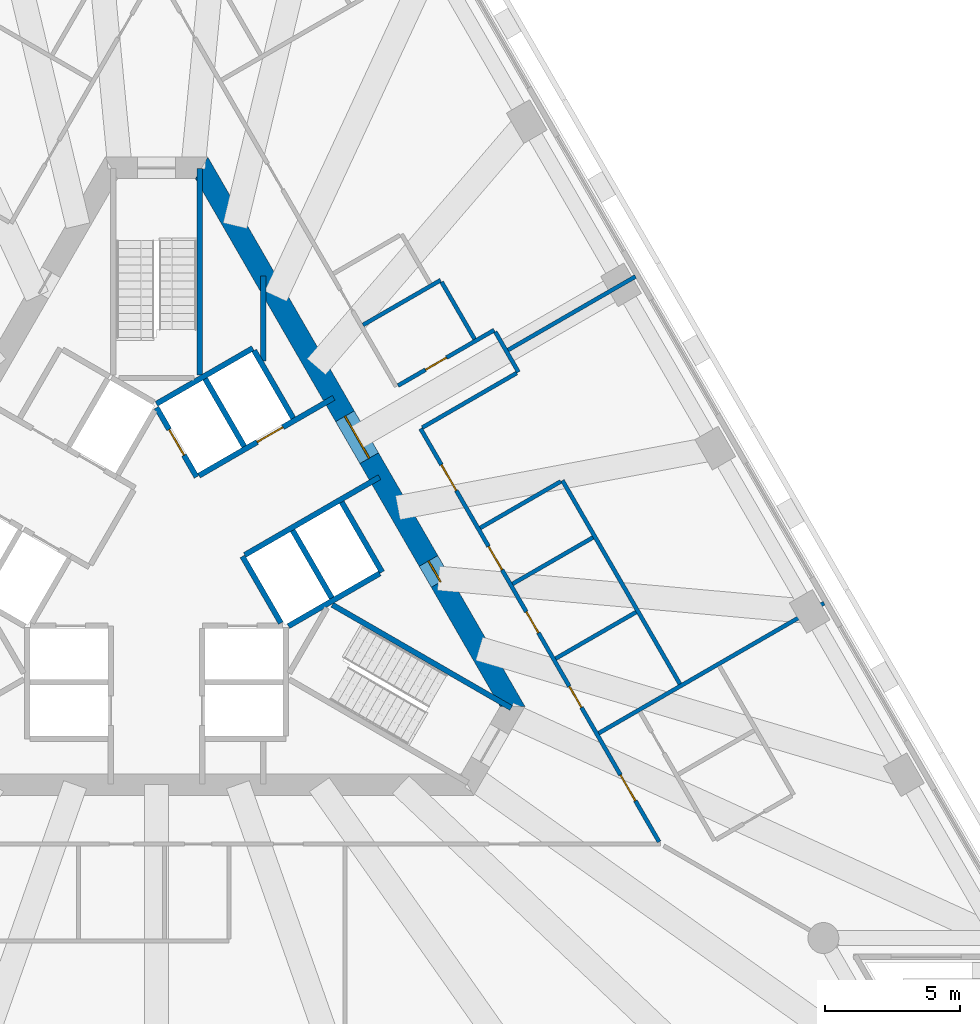
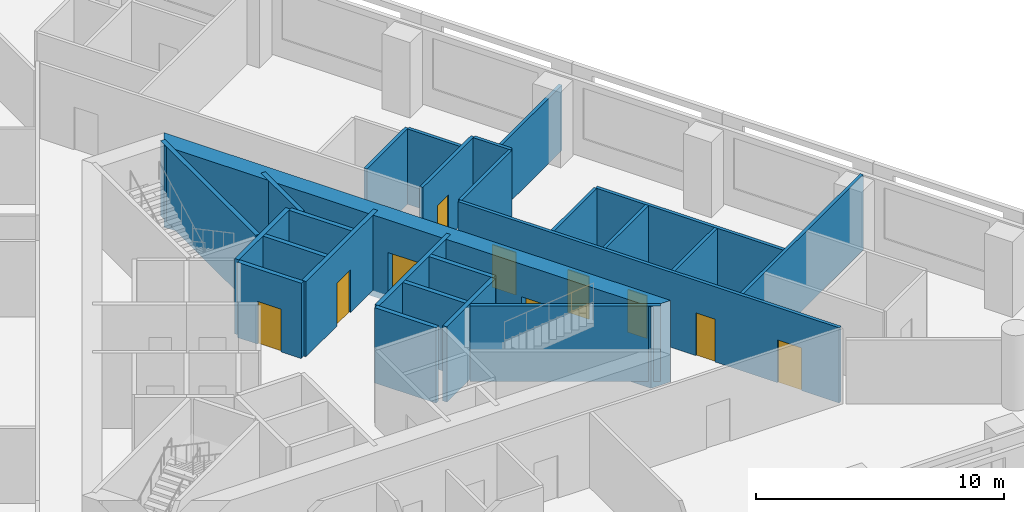
# One storey, part 6 of 10: 26 walls, 10 doors, 10 openings.
"""IFC4 building model written with IfcOpenShell, lengths in metres."""

from ifc_helpers import new_model, si_unit, direction, frame, frame_2d, origin, place, context, subcontext, project, spatial, polyline, rectangle, outline, extrude, material, layer, layer_set, type_object, element, fill, save


model = new_model("IFC4")

# Units and contexts
model_context = context("Model", 3, precision=1e-05, world=origin(), true_north=direction((0.0, 1.0)))
body_context = subcontext(model_context, "Body", "Model", "MODEL_VIEW")
ifc_project = project(units=[si_unit("LENGTHUNIT", "METRE"), si_unit("AREAUNIT", "SQUARE_METRE"), si_unit("VOLUMEUNIT", "CUBIC_METRE"), si_unit("PLANEANGLEUNIT", "RADIAN"), si_unit("MASSUNIT", "GRAM", prefix="KILO")], contexts=[model_context])

# Site, building, storey
site_placement = place(None, origin())
site = spatial("IfcSite", under=ifc_project, at=site_placement, CompositionType="ELEMENT")
building_placement = place(site_placement, origin())
building = spatial("IfcBuilding", under=site, at=building_placement, Name="Triada Interchange Tower", CompositionType="ELEMENT")
storey_placement = place(building_placement, frame((0.0, 0.0, 108.300048828125)))
storey = spatial("IfcBuildingStorey", under=building, at=storey_placement, Name="L24", CompositionType="ELEMENT", Elevation=108.300048828125)

# Wall
ifc_material_1 = material(Name="Concrete C30/37", Category="concrete")
ifc_layer_1 = layer(ifc_material_1, 0.199951171875)
ifc_layer_set_1 = layer_set([ifc_layer_1], Name="CORE WALL 200 EI 120")
wall_type_1 = type_object("IfcWallType", Name="CORE WALL 200 EI 120", PredefinedType="SOLIDWALL", material=ifc_layer_set_1)
wall_1_placement = place(storey_placement, frame((-0.001953125, 5.541015625, 0.0), z_axis=(0.0, 0.0, 1.0), x_axis=(0.86600155993, 0.500041296494, 0.0)))
element("IfcWall", 1, at=wall_1_placement, inside=storey, type_object=wall_type_1, Name="Wall L23 74", PredefinedType="SOLIDWALL", context=body_context, shape_type="SweptSolid", body=[
    extrude(rectangle(XDim=4.131591796875, YDim=0.199951171875, at=frame_2d((2.06591796875, 0.0))), origin(), (0.0, 0.0, 1.0), 3.699951171875),
])

# Wall, opening, door
wall_2_placement = place(storey_placement, frame((0.0, 5.39990234375, 0.0), z_axis=(0.0, 0.0, 1.0), x_axis=(0.500103862429, -0.865965430478, 0.0)))
wall_2 = element("IfcWall", 2, at=wall_2_placement, inside=storey, type_object=wall_type_1, Name="Wall L23 75", PredefinedType="SOLIDWALL", context=body_context, shape_type="SweptSolid", body=[
    extrude(rectangle(XDim=2.973388671875, YDim=0.199951171875, at=frame_2d((1.48681640625, 0.0))), origin(), (0.0, 0.0, 1.0), 3.699951171875),
])
opening_1_placement = place(wall_2_placement, frame((0.93701171875, 0.0, 0.0)))
opening_1 = element("IfcOpeningElement", 3, at=opening_1_placement, cuts=wall_2, Name="Opening LD-LR5", PredefinedType="OPENING", context=body_context, shape_type="SweptSolid", body=[
    extrude(rectangle(XDim=1.10009765625, YDim=2.10009765625, at=frame_2d((0.550048828125, 1.050048828125))), frame((0.0, 0.10986328125, 0.0), z_axis=(0.0, -1.0, 0.0), x_axis=(1.0, 0.0, 0.0)), (0.0, 0.0, 1.0), 0.219970703125),
])
ifc_material_2 = material(Name="Steel S235 door leaf", Category="steel")
door_type_1 = type_object("IfcDoorType", Name="LIFT LANDING DOOR 1100 EI 120", OperationType="SLIDING_TO_LEFT", PredefinedType="DOOR", material=ifc_material_2)
door_1_placement = place(opening_1_placement, origin())
door_1 = element("IfcDoor", 4, at=door_1_placement, inside=storey, type_object=door_type_1, Name="LR5 landing door L24", OperationType="SLIDING_TO_LEFT", OverallHeight=2.10009765625, OverallWidth=1.10009765625, PredefinedType="DOOR", context=body_context, shape_type="SweptSolid", body=[
    extrude(rectangle(XDim=1.10009765625, YDim=2.10009765625, at=frame_2d((0.550048828125, 1.050048828125))), frame((0.0, 0.02490234375, 0.0), z_axis=(0.0, -1.0, 0.0), x_axis=(1.0, 0.0, 0.0)), (0.0, 0.0, 1.0), 0.050048828125),
])
fill(opening_1, door_1)

# Wall
wall_3_placement = place(storey_placement, frame((3.18994140625, -0.125, 0.0), z_axis=(0.0, 0.0, 1.0), x_axis=(0.499988658015, -0.866031951983, 0.0)))
element("IfcWall", 5, at=wall_3_placement, inside=storey, type_object=wall_type_1, Name="Wall L23 76", PredefinedType="SOLIDWALL", context=body_context, shape_type="SweptSolid", body=[
    extrude(rectangle(XDim=2.85791015625, YDim=0.199951171875, at=frame_2d((1.428955078125, 0.0))), origin(), (0.0, 0.0, 1.0), 3.699951171875),
])

# Wall, opening, door
wall_4_placement = place(storey_placement, frame((1.576904296875, 2.8740234375, 0.0), z_axis=(0.0, 0.0, 1.0), x_axis=(0.866073694534, 0.499916348638, 0.0)))
wall_4 = element("IfcWall", 6, at=wall_4_placement, inside=storey, type_object=wall_type_1, Name="Wall L23 77", PredefinedType="SOLIDWALL", context=body_context, shape_type="SweptSolid", body=[
    extrude(rectangle(XDim=5.77685546875, YDim=0.199951171875, at=frame_2d((2.888427734375, 0.0))), origin(), (0.0, 0.0, 1.0), 3.699951171875),
])
opening_2_placement = place(wall_4_placement, frame((2.4970703125, 0.0, 0.0)))
opening_2 = element("IfcOpeningElement", 7, at=opening_2_placement, cuts=wall_4, Name="Opening LD-LR6", PredefinedType="OPENING", context=body_context, shape_type="SweptSolid", body=[
    extrude(rectangle(XDim=1.10009765625, YDim=2.10009765625, at=frame_2d((0.550048828125, 1.050048828125))), frame((0.0, 0.10986328125, 0.0), z_axis=(0.0, -1.0, 0.0), x_axis=(1.0, 0.0, 0.0)), (0.0, 0.0, 1.0), 0.219970703125),
])
door_2_placement = place(opening_2_placement, origin())
door_2 = element("IfcDoor", 8, at=door_2_placement, inside=storey, type_object=door_type_1, Name="LR6 landing door L24", OperationType="SLIDING_TO_LEFT", OverallHeight=2.10009765625, OverallWidth=1.10009765625, PredefinedType="DOOR", context=body_context, shape_type="SweptSolid", body=[
    extrude(rectangle(XDim=1.10009765625, YDim=2.10009765625, at=frame_2d((0.550048828125, 1.050048828125))), frame((0.0, 0.02490234375, 0.0), z_axis=(0.0, -1.0, 0.0), x_axis=(1.0, 0.0, 0.0)), (0.0, 0.0, 1.0), 0.050048828125),
])
fill(opening_2, door_2)

# Walls
wall_5_placement = place(storey_placement, frame((3.278076171875, -0.071044921875, 0.0), z_axis=(0.0, 0.0, 1.0), x_axis=(0.865929348003, 0.5001663366, 0.0)))
element("IfcWall", 9, at=wall_5_placement, inside=storey, type_object=wall_type_1, Name="Wall L23 80", PredefinedType="SOLIDWALL", context=body_context, shape_type="SweptSolid", body=[
    extrude(rectangle(XDim=5.7763671875, YDim=0.199951171875, at=frame_2d((2.88818359375, 0.0))), origin(), (0.0, 0.0, 1.0), 3.699951171875),
])
wall_6_placement = place(storey_placement, frame((3.6259765625, 7.52001953125, 0.0), z_axis=(0.0, 0.0, 1.0), x_axis=(0.500060147554, -0.865990674793, 0.0)))
element("IfcWall", 10, at=wall_6_placement, inside=storey, type_object=wall_type_1, Name="Wall L23 81", PredefinedType="SOLIDWALL", context=body_context, shape_type="SweptSolid", body=[
    extrude(rectangle(XDim=2.899658203125, YDim=0.199951171875, at=frame_2d((1.44970703125, 0.0))), origin(), (0.0, 0.0, 1.0), 3.699951171875),
])
wall_7_placement = place(storey_placement, frame((6.8759765625, 1.89111328125, 0.0), z_axis=(0.0, 0.0, 1.0), x_axis=(0.499990139034, -0.866031096941, 0.0)))
element("IfcWall", 11, at=wall_7_placement, inside=storey, type_object=wall_type_1, Name="Wall L23 82", PredefinedType="SOLIDWALL", context=body_context, shape_type="SweptSolid", body=[
    extrude(rectangle(XDim=3.0, YDim=0.199951171875, at=frame_2d((1.5, 0.0))), origin(), (0.0, 0.0, 1.0), 3.699951171875),
])
for number, where, z_axis, x_axis, name in (
    (12, (1.806884765625, 6.469970703125, 0.0), (0.0, 0.0, 1.0), (0.50012328804, -0.865954211699, 0.0), "Wall L23 83"),
    (13, (5.056884765625, 0.841064453125, 0.0), (0.0, 0.0, 1.0), (0.50012328804, -0.865954211699, 0.0), "Wall L23 84"),
):
    element("IfcWall", number, at=place(storey_placement, frame(where, z_axis=z_axis, x_axis=x_axis)), inside=storey, type_object=wall_type_1, Name=name, PredefinedType="SOLIDWALL", context=body_context, shape_type="SweptSolid", body=[
        extrude(rectangle(XDim=2.899658203125, YDim=0.199951171875, at=frame_2d((1.44970703125, 0.0))), origin(), (0.0, 0.0, 1.0), 3.699951171875),
    ])
wall_8_placement = place(storey_placement, frame((4.89990234375, -2.714111328125, 0.0), z_axis=(0.0, 0.0, 1.0), x_axis=(0.865992350556, 0.500057245502, 0.0)))
element("IfcWall", 14, at=wall_8_placement, inside=storey, type_object=wall_type_1, Name="Wall L23 85", PredefinedType="SOLIDWALL", context=body_context, shape_type="SweptSolid", body=[
    extrude(rectangle(XDim=3.91357421875, YDim=0.199951171875, at=frame_2d((1.956787109375, 0.0))), origin(), (0.0, 0.0, 1.0), 3.699951171875),
])
ifc_layer_2 = layer(ifc_material_1, 0.199951171875)
ifc_layer_set_2 = layer_set([ifc_layer_2], Name="CORE WALL 200 EI 90")
wall_type_2 = type_object("IfcWallType", Name="CORE WALL 200 EI 90", PredefinedType="SOLIDWALL", material=ifc_layer_set_2)
wall_9_placement = place(storey_placement, frame((3.966064453125, 7.1298828125, 0.0), z_axis=(0.0, 0.0, 1.0), x_axis=(0.0, 1.0, 0.0)))
element("IfcWall", 15, at=wall_9_placement, inside=storey, type_object=wall_type_2, Name="Wall L23 102", PredefinedType="SOLIDWALL", context=body_context, shape_type="SweptSolid", body=[
    extrude(rectangle(XDim=3.16015625, YDim=0.199951171875, at=frame_2d((1.580078125, 0.0))), origin(), (0.0, 0.0, 1.0), 3.699951171875),
])
ifc_layer_3 = layer(ifc_material_1, 0.199951171875)
ifc_layer_set_3 = layer_set([ifc_layer_3], Name="CORE WALL 200 REI 240")
wall_type_3 = type_object("IfcWallType", Name="CORE WALL 200 REI 240", PredefinedType="SOLIDWALL", material=ifc_layer_set_3)
wall_10_placement = place(storey_placement, frame((1.60009765625, 6.614990234375, 0.0), z_axis=(0.0, 0.0, 1.0), x_axis=(0.0, 1.0, 0.0)))
element("IfcWall", 16, at=wall_10_placement, inside=storey, type_object=wall_type_3, Name="Wall L23 106", PredefinedType="SOLIDWALL", context=body_context, shape_type="SweptSolid", body=[
    extrude(rectangle(XDim=7.6650390625, YDim=0.199951171875, at=frame_2d((3.83251953125, 0.0))), origin(), (0.0, 0.0, 1.0), 3.699951171875),
])
wall_11_placement = place(storey_placement, frame((6.529052734375, -1.922119140625, 0.0), z_axis=(0.0, 0.0, 1.0), x_axis=(0.866060938598, -0.499938446846, 0.0)))
element("IfcWall", 17, at=wall_11_placement, inside=storey, type_object=wall_type_3, Name="Wall L23 111", PredefinedType="SOLIDWALL", context=body_context, shape_type="SweptSolid", body=[
    extrude(rectangle(XDim=7.66455078125, YDim=0.199951171875, at=frame_2d((3.832275390625, 0.0))), origin(), (0.0, 0.0, 1.0), 3.699951171875),
])

# Wall, openings, doors
ifc_material_3 = material(Name="Concrete C60/75", Category="concrete")
ifc_layer_4 = layer(ifc_material_3, 0.800048828125)
ifc_layer_set_4 = layer_set([ifc_layer_4], Name="Core wall B 800")
wall_type_4 = type_object("IfcWallType", Name="Core wall B 800", PredefinedType="SHEAR", material=ifc_layer_set_4)
wall_12_placement = place(storey_placement, frame((13.220947265625, -5.699951171875, -0.300048828125), z_axis=(0.0, 0.0, 1.0), x_axis=(-0.499995765644, 0.866027848477, 0.0)))
wall_12 = element("IfcWall", 18, at=wall_12_placement, inside=storey, type_object=wall_type_4, Name="Core wall WB06 L24", PredefinedType="SHEAR", context=body_context, shape_type="SweptSolid", body=[
    extrude(outline(polyline([(-0.23095703125, -0.39990234375), (1.73193359375, -0.39990234375), (3.695068359375, -0.39990234375), (5.657958984375, -0.39990234375), (7.62109375, -0.39990234375), (9.583984375, -0.39990234375), (11.546875, -0.39990234375), (13.510009765625, -0.39990234375), (15.472900390625, -0.39990234375), (17.43603515625, -0.39990234375), (19.39892578125, -0.39990234375), (21.362060546875, -0.39990234375), (23.324951171875, -0.39990234375), (22.863037109375, 0.39990234375), (20.97705078125, 0.39990234375), (19.091064453125, 0.39990234375), (17.205078125, 0.39990234375), (15.319091796875, 0.39990234375), (13.43310546875, 0.39990234375), (11.546875, 0.39990234375), (9.660888671875, 0.39990234375), (7.77490234375, 0.39990234375), (5.888916015625, 0.39990234375), (4.0029296875, 0.39990234375), (2.116943359375, 0.39990234375), (0.23095703125, 0.39990234375), (-0.23095703125, -0.39990234375)])), origin(), (0.0, 0.0, 1.0), 4.0),
])
opening_3_placement = place(wall_12_placement, frame((10.64697265625, 0.0, 0.300048828125)))
opening_3 = element("IfcOpeningElement", 19, at=opening_3_placement, cuts=wall_12, Name="Opening D23-42", PredefinedType="OPENING", context=body_context, shape_type="SweptSolid", body=[
    extrude(rectangle(XDim=1.800048828125, YDim=2.10009765625, at=frame_2d((0.89990234375, 1.050048828125))), frame((0.0, 0.409912109375, 0.0), z_axis=(0.0, -1.0, 0.0), x_axis=(1.0, 0.0, 0.0)), (0.0, 0.0, 1.0), 0.820068359375),
])
opening_4_placement = place(wall_12_placement, frame((5.343017578125, 0.0, 0.300048828125)))
opening_4 = element("IfcOpeningElement", 20, at=opening_4_placement, cuts=wall_12, Name="Opening D23-49", PredefinedType="OPENING", context=body_context, shape_type="SweptSolid", body=[
    extrude(rectangle(XDim=0.89990234375, YDim=2.10009765625, at=frame_2d((0.449951171875, 1.050048828125))), frame((0.0, 0.409912109375, 0.0), z_axis=(0.0, -1.0, 0.0), x_axis=(1.0, 0.0, 0.0)), (0.0, 0.0, 1.0), 0.820068359375),
])
door_type_2 = type_object("IfcDoorType", Name="LOBBY DOOR 1800 EI2 90-C5S200", OperationType="DOUBLE_DOOR_SINGLE_SWING", PredefinedType="DOOR", material=ifc_material_2)
door_3_placement = place(opening_3_placement, origin())
door_3 = element("IfcDoor", 21, at=door_3_placement, inside=storey, type_object=door_type_2, Name="Door D23-42 L24", OperationType="DOUBLE_DOOR_SINGLE_SWING", OverallHeight=2.10009765625, OverallWidth=1.800048828125, PredefinedType="DOOR", context=body_context, shape_type="SweptSolid", body=[
    extrude(rectangle(XDim=1.800048828125, YDim=2.10009765625, at=frame_2d((0.89990234375, 1.050048828125))), frame((0.0, 0.02490234375, 0.0), z_axis=(0.0, -1.0, 0.0), x_axis=(1.0, 0.0, 0.0)), (0.0, 0.0, 1.0), 0.050048828125),
])
fill(opening_3, door_3)
door_type_3 = type_object("IfcDoorType", Name="RISER ACCESS DOOR 900 EI2 45-C5S200", OperationType="NOTDEFINED", PredefinedType="DOOR", material=ifc_material_2)
door_4_placement = place(opening_4_placement, origin())
door_4 = element("IfcDoor", 22, at=door_4_placement, inside=storey, type_object=door_type_3, Name="Door D23-49 L24", OperationType="SINGLE_SWING_LEFT", OverallHeight=2.10009765625, OverallWidth=0.89990234375, PredefinedType="DOOR", context=body_context, shape_type="SweptSolid", body=[
    extrude(rectangle(XDim=0.89990234375, YDim=2.10009765625, at=frame_2d((0.449951171875, 1.050048828125))), frame((0.0, 0.02490234375, 0.0), z_axis=(0.0, -1.0, 0.0), x_axis=(1.0, 0.0, 0.0)), (0.0, 0.0, 1.0), 0.050048828125),
])
fill(opening_4, door_4)

# Wall
ifc_material_4 = material(Name="Gypsum board partition")
ifc_layer_5 = layer(ifc_material_4, 0.14990234375)
ifc_layer_set_5 = layer_set([ifc_layer_5], Name="PARTITION 150 EI 180")
wall_type_5 = type_object("IfcWallType", Name="PARTITION 150 EI 180", PredefinedType="PARTITIONING", material=ifc_layer_set_5)
wall_13_placement = place(storey_placement, frame((13.054931640625, 7.537109375, 0.0), z_axis=(0.0, 0.0, 1.0), x_axis=(0.86601735395, 0.500013942463, 0.0)))
element("IfcWall", 23, at=wall_13_placement, inside=storey, type_object=wall_type_5, Name="Wall L23 2", PredefinedType="PARTITIONING", context=body_context, shape_type="SweptSolid", body=[
    extrude(rectangle(XDim=5.461669921875, YDim=0.14990234375, at=frame_2d((2.73095703125, 0.0))), origin(), (0.0, 0.0, 1.0), 3.199951171875),
])

# Wall, openings, doors
wall_14_placement = place(storey_placement, frame((9.803955078125, 4.6201171875, 0.0), z_axis=(0.0, 0.0, 1.0), x_axis=(0.49996419592, -0.866046074293, 0.0)))
wall_14 = element("IfcWall", 24, at=wall_14_placement, inside=storey, type_object=wall_type_5, Name="Wall L23 24", PredefinedType="PARTITIONING", context=body_context, shape_type="SweptSolid", body=[
    extrude(rectangle(XDim=17.717529296875, YDim=0.14990234375, at=frame_2d((8.85888671875, 0.0))), origin(), (0.0, 0.0, 1.0), 3.699951171875),
])
opening_5_placement = place(wall_14_placement, frame((14.85400390625, 0.0, 0.0)))
opening_5 = element("IfcOpeningElement", 25, at=opening_5_placement, cuts=wall_14, Name="Opening D23-21", PredefinedType="OPENING", context=body_context, shape_type="SweptSolid", body=[
    extrude(rectangle(XDim=1.10009765625, YDim=2.10009765625, at=frame_2d((0.550048828125, 1.050048828125))), frame((0.0, 0.0849609375, 0.0), z_axis=(0.0, -1.0, 0.0), x_axis=(1.0, 0.0, 0.0)), (0.0, 0.0, 1.0), 0.169921875),
])
opening_6_placement = place(wall_14_placement, frame((1.552001953125, 0.0, 0.0)))
opening_6 = element("IfcOpeningElement", 26, at=opening_6_placement, cuts=wall_14, Name="Opening D23-24", PredefinedType="OPENING", context=body_context, shape_type="SweptSolid", body=[
    extrude(rectangle(XDim=1.10009765625, YDim=2.10009765625, at=frame_2d((0.550048828125, 1.050048828125))), frame((0.0, 0.0849609375, 0.0), z_axis=(0.0, -1.0, 0.0), x_axis=(1.0, 0.0, 0.0)), (0.0, 0.0, 1.0), 0.169921875),
])
opening_7_placement = place(wall_14_placement, frame((11.052001953125, 0.0, 0.0)))
opening_7 = element("IfcOpeningElement", 27, at=opening_7_placement, cuts=wall_14, Name="Opening D23-25", PredefinedType="OPENING", context=body_context, shape_type="SweptSolid", body=[
    extrude(rectangle(XDim=0.89990234375, YDim=2.10009765625, at=frame_2d((0.449951171875, 1.050048828125))), frame((0.0, 0.0849609375, 0.0), z_axis=(0.0, -1.0, 0.0), x_axis=(1.0, 0.0, 0.0)), (0.0, 0.0, 1.0), 0.169921875),
])
opening_8_placement = place(wall_14_placement, frame((7.85205078125, 0.0, 0.0)))
opening_8 = element("IfcOpeningElement", 28, at=opening_8_placement, cuts=wall_14, Name="Opening D23-26", PredefinedType="OPENING", context=body_context, shape_type="SweptSolid", body=[
    extrude(rectangle(XDim=0.89990234375, YDim=2.10009765625, at=frame_2d((0.449951171875, 1.050048828125))), frame((0.0, 0.0849609375, 0.0), z_axis=(0.0, -1.0, 0.0), x_axis=(1.0, 0.0, 0.0)), (0.0, 0.0, 1.0), 0.169921875),
])
opening_9_placement = place(wall_14_placement, frame((5.052001953125, 0.0, 0.0)))
opening_9 = element("IfcOpeningElement", 29, at=opening_9_placement, cuts=wall_14, Name="Opening D23-27", PredefinedType="OPENING", context=body_context, shape_type="SweptSolid", body=[
    extrude(rectangle(XDim=1.0, YDim=2.10009765625, at=frame_2d((0.5, 1.050048828125))), frame((0.0, 0.0849609375, 0.0), z_axis=(0.0, -1.0, 0.0), x_axis=(1.0, 0.0, 0.0)), (0.0, 0.0, 1.0), 0.169921875),
])
door_type_4 = type_object("IfcDoorType", Name="ROOM DOOR 1000 EI2 90-C5S200", OperationType="NOTDEFINED", PredefinedType="DOOR", material=ifc_material_2)
door_5_placement = place(opening_9_placement, origin())
door_5 = element("IfcDoor", 30, at=door_5_placement, inside=storey, type_object=door_type_4, Name="Door D23-27 L24", OperationType="SINGLE_SWING_LEFT", OverallHeight=2.10009765625, OverallWidth=1.0, PredefinedType="DOOR", context=body_context, shape_type="SweptSolid", body=[
    extrude(rectangle(XDim=1.0, YDim=2.10009765625, at=frame_2d((0.5, 1.050048828125))), frame((0.0, 0.02490234375, 0.0), z_axis=(0.0, -1.0, 0.0), x_axis=(1.0, 0.0, 0.0)), (0.0, 0.0, 1.0), 0.050048828125),
])
fill(opening_9, door_5)
door_type_5 = type_object("IfcDoorType", Name="ROOM DOOR 900 EI2 90-C5S200", OperationType="NOTDEFINED", PredefinedType="DOOR", material=ifc_material_2)
door_6_placement = place(opening_7_placement, origin())
door_6 = element("IfcDoor", 31, at=door_6_placement, inside=storey, type_object=door_type_5, Name="Door D23-25 L24", OperationType="SINGLE_SWING_RIGHT", OverallHeight=2.10009765625, OverallWidth=0.89990234375, PredefinedType="DOOR", context=body_context, shape_type="SweptSolid", body=[
    extrude(rectangle(XDim=0.89990234375, YDim=2.10009765625, at=frame_2d((0.449951171875, 1.050048828125))), frame((0.0, 0.02490234375, 0.0), z_axis=(0.0, -1.0, 0.0), x_axis=(1.0, 0.0, 0.0)), (0.0, 0.0, 1.0), 0.050048828125),
])
fill(opening_7, door_6)
door_7_placement = place(opening_8_placement, origin())
door_7 = element("IfcDoor", 32, at=door_7_placement, inside=storey, type_object=door_type_5, Name="Door D23-26 L24", OperationType="SINGLE_SWING_RIGHT", OverallHeight=2.10009765625, OverallWidth=0.89990234375, PredefinedType="DOOR", context=body_context, shape_type="SweptSolid", body=[
    extrude(rectangle(XDim=0.89990234375, YDim=2.10009765625, at=frame_2d((0.449951171875, 1.050048828125))), frame((0.0, 0.02490234375, 0.0), z_axis=(0.0, -1.0, 0.0), x_axis=(1.0, 0.0, 0.0)), (0.0, 0.0, 1.0), 0.050048828125),
])
fill(opening_8, door_7)
door_type_6 = type_object("IfcDoorType", Name="TENANCY ENTRANCE DOOR 1100 EI2 90-C5S200", OperationType="NOTDEFINED", PredefinedType="DOOR", material=ifc_material_2)
door_8_placement = place(opening_5_placement, origin())
door_8 = element("IfcDoor", 33, at=door_8_placement, inside=storey, type_object=door_type_6, Name="Door D23-21 L24", OperationType="SINGLE_SWING_RIGHT", OverallHeight=2.10009765625, OverallWidth=1.10009765625, PredefinedType="DOOR", context=body_context, shape_type="SweptSolid", body=[
    extrude(rectangle(XDim=1.10009765625, YDim=2.10009765625, at=frame_2d((0.550048828125, 1.050048828125))), frame((0.0, 0.02490234375, 0.0), z_axis=(0.0, -1.0, 0.0), x_axis=(1.0, 0.0, 0.0)), (0.0, 0.0, 1.0), 0.050048828125),
])
fill(opening_5, door_8)
door_9_placement = place(opening_6_placement, origin())
door_9 = element("IfcDoor", 34, at=door_9_placement, inside=storey, type_object=door_type_6, Name="Door D23-24 L24", OperationType="SINGLE_SWING_RIGHT", OverallHeight=2.10009765625, OverallWidth=1.10009765625, PredefinedType="DOOR", context=body_context, shape_type="SweptSolid", body=[
    extrude(rectangle(XDim=1.10009765625, YDim=2.10009765625, at=frame_2d((0.550048828125, 1.050048828125))), frame((0.0, 0.02490234375, 0.0), z_axis=(0.0, -1.0, 0.0), x_axis=(1.0, 0.0, 0.0)), (0.0, 0.0, 1.0), 0.050048828125),
])
fill(opening_6, door_9)

# Wall
wall_15_placement = place(storey_placement, frame((7.66796875, 8.468017578125, 0.0), z_axis=(0.0, 0.0, 1.0), x_axis=(0.865993651241, 0.500054992986, 0.0)))
element("IfcWall", 35, at=wall_15_placement, inside=storey, type_object=wall_type_5, Name="Wall L23 31", PredefinedType="PARTITIONING", context=body_context, shape_type="SweptSolid", body=[
    extrude(rectangle(XDim=3.325927734375, YDim=0.14990234375, at=frame_2d((1.6630859375, 0.0))), origin(), (0.0, 0.0, 1.0), 3.699951171875),
])

# Wall, opening, door
wall_16_placement = place(storey_placement, frame((8.968994140625, 6.217041015625, 0.0), z_axis=(0.0, 0.0, 1.0), x_axis=(0.865997263264, 0.500048737644, 0.0)))
wall_16 = element("IfcWall", 36, at=wall_16_placement, inside=storey, type_object=wall_type_5, Name="Wall L23 32", PredefinedType="PARTITIONING", context=body_context, shape_type="SweptSolid", body=[
    extrude(rectangle(XDim=4.12353515625, YDim=0.14990234375, at=frame_2d((2.061767578125, 0.0))), origin(), (0.0, 0.0, 1.0), 3.699951171875),
])
opening_10_placement = place(wall_16_placement, frame((1.174072265625, 0.0, 0.0)))
opening_10 = element("IfcOpeningElement", 37, at=opening_10_placement, cuts=wall_16, Name="Opening D23-29", PredefinedType="OPENING", context=body_context, shape_type="SweptSolid", body=[
    extrude(rectangle(XDim=0.89990234375, YDim=2.10009765625, at=frame_2d((0.449951171875, 1.050048828125))), frame((0.0, 0.0849609375, 0.0), z_axis=(0.0, -1.0, 0.0), x_axis=(1.0, 0.0, 0.0)), (0.0, 0.0, 1.0), 0.169921875),
])
door_10_placement = place(opening_10_placement, origin())
door_10 = element("IfcDoor", 38, at=door_10_placement, inside=storey, type_object=door_type_5, Name="Door D23-29 L24", OperationType="SINGLE_SWING_RIGHT", OverallHeight=2.10009765625, OverallWidth=0.89990234375, PredefinedType="DOOR", context=body_context, shape_type="SweptSolid", body=[
    extrude(rectangle(XDim=0.89990234375, YDim=2.10009765625, at=frame_2d((0.449951171875, 1.050048828125))), frame((0.0, 0.02490234375, 0.0), z_axis=(0.0, -1.0, 0.0), x_axis=(1.0, 0.0, 0.0)), (0.0, 0.0, 1.0), 0.050048828125),
])
fill(opening_10, door_10)

# Walls
wall_17_placement = place(storey_placement, frame((10.5849609375, 10.06591796875, 0.0), z_axis=(0.0, 0.0, 1.0), x_axis=(0.500018594424, -0.866014668023, 0.0)))
element("IfcWall", 39, at=wall_17_placement, inside=storey, type_object=wall_type_5, Name="Wall L23 33", PredefinedType="PARTITIONING", context=body_context, shape_type="SweptSolid", body=[
    extrude(rectangle(XDim=2.4501953125, YDim=0.14990234375, at=frame_2d((1.22509765625, 0.0))), origin(), (0.0, 0.0, 1.0), 3.699951171875),
])
wall_18_placement = place(storey_placement, frame((12.577880859375, 8.214111328125, 0.0), z_axis=(0.0, 0.0, 1.0), x_axis=(0.499746958151, -0.866171448282, 0.0)))
element("IfcWall", 40, at=wall_18_placement, inside=storey, type_object=wall_type_5, Name="Wall L23 34", PredefinedType="PARTITIONING", context=body_context, shape_type="SweptSolid", body=[
    extrude(rectangle(XDim=1.72509765625, YDim=0.14990234375, at=frame_2d((0.862548828125, 0.0))), origin(), (0.0, 0.0, 1.0), 3.699951171875),
])
wall_19_placement = place(storey_placement, frame((15.072021484375, 2.694091796875, 0.0), z_axis=(0.0, 0.0, 1.0), x_axis=(0.500042162787, -0.86600105972, 0.0)))
element("IfcWall", 41, at=wall_19_placement, inside=storey, type_object=wall_type_5, Name="Wall L23 35", PredefinedType="PARTITIONING", context=body_context, shape_type="SweptSolid", body=[
    extrude(rectangle(XDim=8.725341796875, YDim=0.14990234375, at=frame_2d((4.36279296875, 0.0))), origin(), (0.0, 0.0, 1.0), 3.699951171875),
])
wall_20_placement = place(storey_placement, frame((12.02001953125, 0.930908203125, 0.0), z_axis=(0.0, 0.0, 1.0), x_axis=(0.866031223622, 0.49998991961, 0.0)))
element("IfcWall", 42, at=wall_20_placement, inside=storey, type_object=wall_type_5, Name="Wall L23 36", PredefinedType="PARTITIONING", context=body_context, shape_type="SweptSolid", body=[
    extrude(rectangle(XDim=3.4501953125, YDim=0.14990234375, at=frame_2d((1.72509765625, 0.0))), origin(), (0.0, 0.0, 1.0), 3.699951171875),
])
wall_21_placement = place(storey_placement, frame((9.868896484375, 4.657958984375, 0.0), z_axis=(0.0, 0.0, 1.0), x_axis=(0.865929493314, 0.500166085025, 0.0)))
element("IfcWall", 43, at=wall_21_placement, inside=storey, type_object=wall_type_5, Name="Wall L23 37", PredefinedType="PARTITIONING", context=body_context, shape_type="SweptSolid", body=[
    extrude(rectangle(XDim=4.048828125, YDim=0.14990234375, at=frame_2d((2.0244140625, 0.0))), origin(), (0.0, 0.0, 1.0), 3.699951171875),
])
for number, where, z_axis, x_axis, name in (
    (44, (13.219970703125, -1.14697265625, 0.0), (0.0, 0.0, 1.0), (0.866061862632, 0.499936846106, 0.0), "Wall L23 38"),
    (45, (14.820068359375, -3.9189453125, 0.0), (0.0, 0.0, 1.0), (0.866061862632, 0.499936846106, 0.0), "Wall L23 39"),
):
    element("IfcWall", number, at=place(storey_placement, frame(where, z_axis=z_axis, x_axis=x_axis)), inside=storey, type_object=wall_type_5, Name=name, PredefinedType="PARTITIONING", context=body_context, shape_type="SweptSolid", body=[
        extrude(rectangle(XDim=3.4501953125, YDim=0.14990234375, at=frame_2d((1.72509765625, 0.0))), origin(), (0.0, 0.0, 1.0), 3.699951171875),
    ])
wall_22_placement = place(storey_placement, frame((16.419921875, -6.68994140625, 0.0), z_axis=(0.0, 0.0, 1.0), x_axis=(0.866013897511, 0.50001992892, 0.0)))
element("IfcWall", 46, at=wall_22_placement, inside=storey, type_object=wall_type_5, Name="Wall L23 40", PredefinedType="PARTITIONING", context=body_context, shape_type="SweptSolid", body=[
    extrude(rectangle(XDim=9.66162109375, YDim=0.14990234375, at=frame_2d((4.830810546875, 0.0))), origin(), (0.0, 0.0, 1.0), 3.699951171875),
])

save(model, "model.ifc")
